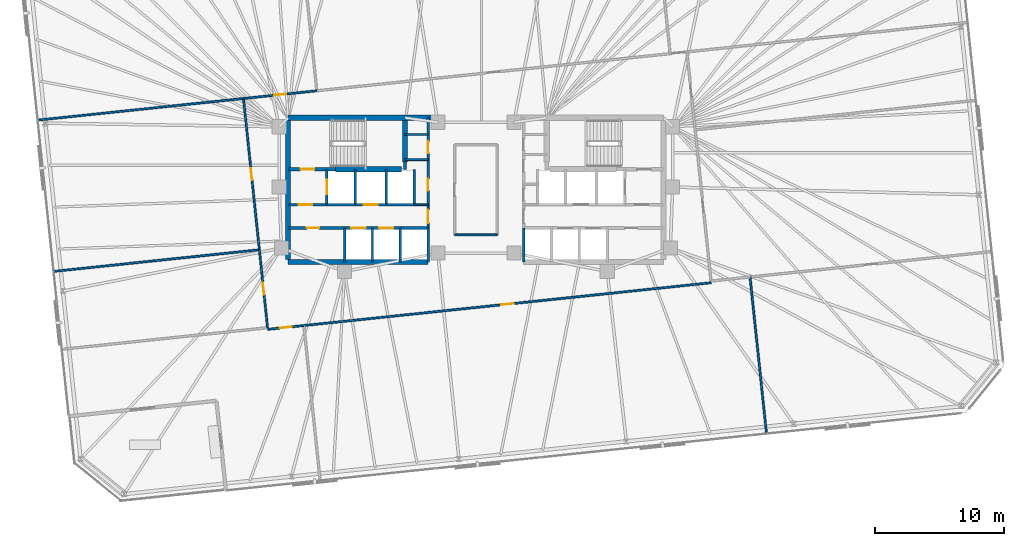
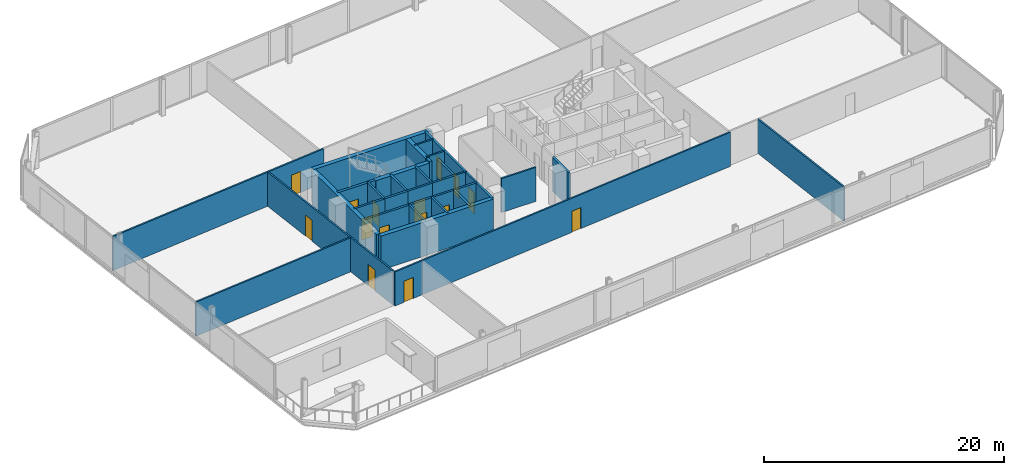
# One storey, part 14 of 18: 35 walls, 15 doors, 15 openings.
"""IFC4 building model written with IfcOpenShell, lengths in metres."""

from ifc_helpers import new_model, si_unit, direction, frame, frame_2d, origin, place, context, subcontext, project, spatial, rectangle, extrude, material, layer, layer_set, type_object, element, fill, save


model = new_model("IFC4")

# Units and contexts
model_context = context("Model", 3, precision=1e-05, world=origin(), true_north=direction((0.0, 1.0)))
body_context = subcontext(model_context, "Body", "Model", "MODEL_VIEW")
ifc_project = project(units=[si_unit("LENGTHUNIT", "METRE"), si_unit("AREAUNIT", "SQUARE_METRE"), si_unit("VOLUMEUNIT", "CUBIC_METRE"), si_unit("PLANEANGLEUNIT", "RADIAN"), si_unit("MASSUNIT", "GRAM", prefix="KILO")], contexts=[model_context])

# Site, building, storey
site_placement = place(None, origin())
site = spatial("IfcSite", under=ifc_project, at=site_placement, CompositionType="ELEMENT")
building_placement = place(site_placement, origin())
building = spatial("IfcBuilding", under=site, at=building_placement, Name="Menara Jurai Vektor", CompositionType="ELEMENT")
storey_placement = place(building_placement, frame((0.0, 0.0, 113.300048828125)))
storey = spatial("IfcBuildingStorey", under=building, at=storey_placement, Name="L28", CompositionType="ELEMENT", Elevation=113.300048828125)

# Wall, opening, door
ifc_material_1 = material(Name="Concrete C40/50", Category="concrete")
ifc_layer_1 = layer(ifc_material_1, 0.25)
ifc_layer_set_1 = layer_set([ifc_layer_1], Name="Concrete C40/50")
wall_type_1 = type_object("IfcWallType", Name="INT-WALL-CORE-250", PredefinedType="STANDARD", material=ifc_layer_set_1)
wall_1_placement = place(storey_placement, frame((-14.5, 1.60009765625, 0.0), z_axis=(0.0, 0.0, 1.0), x_axis=(1.0, 0.0, 0.0)))
wall_1 = element("IfcWall", 1, at=wall_1_placement, inside=storey, type_object=wall_type_1, Name="Interior Wall IW-250 L28", PredefinedType="STANDARD", context=body_context, shape_type="SweptSolid", body=[
    extrude(rectangle(XDim=3.60009765625, YDim=0.25, at=frame_2d((1.800048828125, 0.0))), origin(), (0.0, 0.0, 1.0), 3.474853515625),
])
opening_1_placement = place(wall_1_placement, frame((0.919921875, 0.0, 0.0)))
opening_1 = element("IfcOpeningElement", 2, at=opening_1_placement, cuts=wall_1, Name="Opening D-L28-ST1", PredefinedType="OPENING", context=body_context, shape_type="SweptSolid", body=[
    extrude(rectangle(XDim=1.050048828125, YDim=2.14990234375, at=frame_2d((0.52490234375, 1.074951171875))), frame((0.0, 0.135009765625, 0.0), z_axis=(0.0, -1.0, 0.0), x_axis=(1.0, 0.0, 0.0)), (0.0, 0.0, 1.0), 0.27001953125),
])
ifc_material_2 = material(Name="Fire-Rated Steel Door", Category="steel")
door_type_1 = type_object("IfcDoorType", Name="DR-STAIR-1050", OperationType="NOTDEFINED", PredefinedType="DOOR", material=ifc_material_2)
door_1_placement = place(opening_1_placement, origin())
door_1 = element("IfcDoor", 3, at=door_1_placement, inside=storey, type_object=door_type_1, Name="Exit Stair ST1 Door L28", OperationType="SINGLE_SWING_RIGHT", OverallHeight=2.14990234375, OverallWidth=1.050048828125, PredefinedType="DOOR", context=body_context, shape_type="SweptSolid", body=[
    extrude(rectangle(XDim=1.050048828125, YDim=2.14990234375, at=frame_2d((0.52490234375, 1.074951171875))), frame((0.0, 0.02490234375, 0.0), z_axis=(0.0, -1.0, 0.0), x_axis=(1.0, 0.0, 0.0)), (0.0, 0.0, 1.0), 0.050048828125),
])
fill(opening_1, door_1)

# Wall
wall_2_placement = place(storey_placement, frame((-5.5, 1.60009765625, 0.0), z_axis=(0.0, 0.0, 1.0), x_axis=(0.0, 1.0, 0.0)))
element("IfcWall", 4, at=wall_2_placement, inside=storey, type_object=wall_type_1, Name="Interior Wall IW-250 L28", PredefinedType="STANDARD", context=body_context, shape_type="SweptSolid", body=[
    extrude(rectangle(XDim=0.5498046875, YDim=0.25, at=frame_2d((0.27490234375, 0.0))), origin(), (0.0, 0.0, 1.0), 3.474853515625),
])

# Wall, opening, door
wall_3_placement = place(storey_placement, frame((-11.550048828125, -1.14990234375, 0.0), z_axis=(0.0, 0.0, 1.0), x_axis=(0.0, 1.0, 0.0)))
wall_3 = element("IfcWall", 5, at=wall_3_placement, inside=storey, type_object=wall_type_1, Name="Interior Wall IW-250 L28", PredefinedType="STANDARD", context=body_context, shape_type="SweptSolid", body=[
    extrude(rectangle(XDim=2.75, YDim=0.199951171875, at=frame_2d((1.375, 0.0))), origin(), (0.0, 0.0, 1.0), 3.474853515625),
])
opening_2_placement = place(wall_3_placement, frame((0.824951171875, 0.0, 0.0)))
opening_2 = element("IfcOpeningElement", 6, at=opening_2_placement, cuts=wall_3, Name="Opening LD-L28-FL1", PredefinedType="OPENING", context=body_context, shape_type="SweptSolid", body=[
    extrude(rectangle(XDim=1.10009765625, YDim=2.14990234375, at=frame_2d((0.550048828125, 1.074951171875))), frame((0.0, 0.10986328125, 0.0), z_axis=(0.0, -1.0, 0.0), x_axis=(1.0, 0.0, 0.0)), (0.0, 0.0, 1.0), 0.219970703125),
])
ifc_material_3 = material(Name="Stainless Steel Sliding Lift Landing Door", Category="steel")
door_type_2 = type_object("IfcDoorType", Name="DR-LIFT-FIRE-1100", OperationType="NOTDEFINED", PredefinedType="DOOR", material=ifc_material_3)
door_2_placement = place(opening_2_placement, origin())
door_2 = element("IfcDoor", 7, at=door_2_placement, inside=storey, type_object=door_type_2, Name="Lift Landing Door FL1 L28", OperationType="SLIDING_TO_RIGHT", OverallHeight=2.14990234375, OverallWidth=1.10009765625, PredefinedType="DOOR", context=body_context, shape_type="SweptSolid", body=[
    extrude(rectangle(XDim=1.10009765625, YDim=2.14990234375, at=frame_2d((0.550048828125, 1.074951171875))), frame((0.0, 0.02490234375, 0.0), z_axis=(0.0, -1.0, 0.0), x_axis=(1.0, 0.0, 0.0)), (0.0, 0.0, 1.0), 0.050048828125),
])
fill(opening_2, door_2)

# Wall
wall_4_placement = place(storey_placement, frame((-9.35009765625, -1.14990234375, 0.0), z_axis=(0.0, 0.0, 1.0), x_axis=(0.0, 1.0, 0.0)))
element("IfcWall", 8, at=wall_4_placement, inside=storey, type_object=wall_type_1, Name="Interior Wall IW-250 L28", PredefinedType="STANDARD", context=body_context, shape_type="SweptSolid", body=[
    extrude(rectangle(XDim=2.75, YDim=0.199951171875, at=frame_2d((1.375, 0.0))), origin(), (0.0, 0.0, 1.0), 3.474853515625),
])

# Wall, opening, door
wall_5_placement = place(storey_placement, frame((-14.5, -1.14990234375, 0.0), z_axis=(0.0, 0.0, 1.0), x_axis=(1.0, 0.0, 0.0)))
wall_5 = element("IfcWall", 9, at=wall_5_placement, inside=storey, type_object=wall_type_1, Name="Interior Wall IW-250 L28", PredefinedType="STANDARD", context=body_context, shape_type="SweptSolid", body=[
    extrude(rectangle(XDim=2.949951171875, YDim=0.199951171875, at=frame_2d((1.47509765625, 0.0))), origin(), (0.0, 0.0, 1.0), 3.474853515625),
])
opening_3_placement = place(wall_5_placement, frame((0.75, 0.0, 0.0)))
opening_3 = element("IfcOpeningElement", 10, at=opening_3_placement, cuts=wall_5, Name="Opening D-L28-FFW", PredefinedType="OPENING", context=body_context, shape_type="SweptSolid", body=[
    extrude(rectangle(XDim=1.050048828125, YDim=2.179931640625, at=frame_2d((0.52490234375, 1.08984375))), frame((0.0, 0.10986328125, 0.0), z_axis=(0.0, -1.0, 0.0), x_axis=(1.0, 0.0, 0.0)), (0.0, 0.0, 1.0), 0.219970703125),
])
ifc_material_4 = material(Name="Fire-Rated Timber Door", Category="wood")
door_type_3 = type_object("IfcDoorType", Name="DR-LOBBY-1050", OperationType="NOTDEFINED", PredefinedType="DOOR", material=ifc_material_4)
door_3_placement = place(opening_3_placement, origin())
door_3 = element("IfcDoor", 11, at=door_3_placement, inside=storey, type_object=door_type_3, Name="Fire Lift Lobby Door W L28", OperationType="SINGLE_SWING_RIGHT", OverallHeight=2.179931640625, OverallWidth=1.050048828125, PredefinedType="DOOR", context=body_context, shape_type="SweptSolid", body=[
    extrude(rectangle(XDim=1.050048828125, YDim=2.179931640625, at=frame_2d((0.52490234375, 1.08984375))), frame((0.0, 0.02490234375, 0.0), z_axis=(0.0, -1.0, 0.0), x_axis=(1.0, 0.0, 0.0)), (0.0, 0.0, 1.0), 0.050048828125),
])
fill(opening_3, door_3)

# Wall
wall_6_placement = place(storey_placement, frame((-11.550048828125, -1.14990234375, 0.0), z_axis=(0.0, 0.0, 1.0), x_axis=(1.0, 0.0, 0.0)))
element("IfcWall", 12, at=wall_6_placement, inside=storey, type_object=wall_type_1, Name="Interior Wall IW-250 L28", PredefinedType="STANDARD", context=body_context, shape_type="SweptSolid", body=[
    extrude(rectangle(XDim=2.199951171875, YDim=0.199951171875, at=frame_2d((1.10009765625, 0.0))), origin(), (0.0, 0.0, 1.0), 3.474853515625),
])

# Wall, opening, door
ifc_material_5 = material(Name="Gypsum Fireboard Partition", Category="gypsum")
ifc_layer_2 = layer(ifc_material_5, 0.14990234375)
ifc_layer_set_2 = layer_set([ifc_layer_2], Name="Gypsum Fireboard Partition")
wall_type_2 = type_object("IfcWallType", Name="INT-WALL-CORR-150", PredefinedType="PARTITIONING", material=ifc_layer_set_2)
wall_7_placement = place(storey_placement, frame((-3.699951171875, -2.949951171875, 0.0), z_axis=(0.0, 0.0, 1.0), x_axis=(0.0, 1.0, 0.0)))
wall_7 = element("IfcWall", 13, at=wall_7_placement, inside=storey, type_object=wall_type_2, Name="Interior Wall IW-150 L28", PredefinedType="PARTITIONING", context=body_context, shape_type="SweptSolid", body=[
    extrude(rectangle(XDim=1.800048828125, YDim=0.14990234375, at=frame_2d((0.89990234375, 0.0))), origin(), (0.0, 0.0, 1.0), 3.474853515625),
])
opening_4_placement = place(wall_7_placement, frame((0.35009765625, 0.0, 0.0)))
opening_4 = element("IfcOpeningElement", 14, at=opening_4_placement, cuts=wall_7, Name="Opening D-L28-LLW", PredefinedType="OPENING", context=body_context, shape_type="SweptSolid", body=[
    extrude(rectangle(XDim=1.050048828125, YDim=2.179931640625, at=frame_2d((0.52490234375, 1.08984375))), frame((0.0, 0.0849609375, 0.0), z_axis=(0.0, -1.0, 0.0), x_axis=(1.0, 0.0, 0.0)), (0.0, 0.0, 1.0), 0.169921875),
])
door_4_placement = place(opening_4_placement, origin())
door_4 = element("IfcDoor", 15, at=door_4_placement, inside=storey, type_object=door_type_3, Name="Lift Lobby Corridor Door W L28", OperationType="SINGLE_SWING_LEFT", OverallHeight=2.179931640625, OverallWidth=1.050048828125, PredefinedType="DOOR", context=body_context, shape_type="SweptSolid", body=[
    extrude(rectangle(XDim=1.050048828125, YDim=2.179931640625, at=frame_2d((0.52490234375, 1.08984375))), frame((0.0, 0.02490234375, 0.0), z_axis=(0.0, -1.0, 0.0), x_axis=(1.0, 0.0, 0.0)), (0.0, 0.0, 1.0), 0.050048828125),
])
fill(opening_4, door_4)

# Walls
wall_8_placement = place(storey_placement, frame((-4.7900390625, -1.14990234375, 0.0), z_axis=(0.0, 0.0, 1.0), x_axis=(1.0, 0.0, 0.0)))
element("IfcWall", 16, at=wall_8_placement, inside=storey, type_object=wall_type_2, Name="Interior Wall IW-150 L28", PredefinedType="PARTITIONING", context=body_context, shape_type="SweptSolid", body=[
    extrude(rectangle(XDim=1.090087890625, YDim=0.14990234375, at=frame_2d((0.544921875, 0.0))), origin(), (0.0, 0.0, 1.0), 3.474853515625),
])
for number, where, z_axis, x_axis, name in (
    (17, (-5.5, 4.300048828125, 0.0), (0.0, 0.0, 1.0), (1.0, 0.0, 0.0), "Interior Wall IW-150 L28"),
    (18, (-5.5, 2.35009765625, 0.0), (0.0, 0.0, 1.0), (1.0, 0.0, 0.0), "Interior Wall IW-150 L28"),
):
    element("IfcWall", number, at=place(storey_placement, frame(where, z_axis=z_axis, x_axis=x_axis)), inside=storey, type_object=wall_type_2, Name=name, PredefinedType="PARTITIONING", context=body_context, shape_type="SweptSolid", body=[
        extrude(rectangle(XDim=1.800048828125, YDim=0.14990234375, at=frame_2d((0.89990234375, 0.0))), origin(), (0.0, 0.0, 1.0), 3.474853515625),
    ])
wall_9_placement = place(storey_placement, frame((-1.649658203125, -3.490478515625, 0.0), z_axis=(0.0, 0.0, 1.0), x_axis=(1.0, 0.0, 0.0)))
element("IfcWall", 19, at=wall_9_placement, inside=storey, type_object=wall_type_2, Name="Interior Wall IW-150 L28", PredefinedType="PARTITIONING", context=body_context, shape_type="SweptSolid", body=[
    extrude(rectangle(XDim=3.300048828125, YDim=0.14990234375, at=frame_2d((1.64990234375, 0.0))), origin(), (0.0, 0.0, 1.0), 3.474853515625),
])

# Wall, opening, door
wall_10_placement = place(storey_placement, frame((-18.021240234375, 7.09033203125, 0.0), z_axis=(0.0, 0.0, 1.0), x_axis=(0.994520418841, 0.104542510534, 0.0)))
wall_10 = element("IfcWall", 20, at=wall_10_placement, inside=storey, type_object=wall_type_2, Name="Interior Wall IW-150 L28", PredefinedType="PARTITIONING", context=body_context, shape_type="SweptSolid", body=[
    extrude(rectangle(XDim=5.716796875, YDim=0.14990234375, at=frame_2d((2.8583984375, 0.0))), origin(), (0.0, 0.0, 1.0), 3.474853515625),
])
opening_5_placement = place(wall_10_placement, frame((2.383544921875, 0.0, 0.0)))
opening_5 = element("IfcOpeningElement", 21, at=opening_5_placement, cuts=wall_10, Name="Opening D28-09", PredefinedType="OPENING", context=body_context, shape_type="SweptSolid", body=[
    extrude(rectangle(XDim=0.949951171875, YDim=2.14990234375, at=frame_2d((0.47509765625, 1.074951171875))), frame((0.0, 0.0849609375, 0.0), z_axis=(0.0, -1.0, 0.0), x_axis=(1.0, 0.0, 0.0)), (0.0, 0.0, 1.0), 0.169921875),
])
ifc_material_6 = material(Name="Solid Core Timber Fire Door", Category="wood")
door_type_4 = type_object("IfcDoorType", Name="DR-ENTRY-950", OperationType="NOTDEFINED", PredefinedType="DOOR", material=ifc_material_6)
door_5_placement = place(opening_5_placement, origin())
door_5 = element("IfcDoor", 22, at=door_5_placement, inside=storey, type_object=door_type_4, Name="Interior Door D28-09", OperationType="SINGLE_SWING_RIGHT", OverallHeight=2.14990234375, OverallWidth=0.949951171875, PredefinedType="DOOR", context=body_context, shape_type="SweptSolid", body=[
    extrude(rectangle(XDim=0.949951171875, YDim=2.14990234375, at=frame_2d((0.47509765625, 1.074951171875))), frame((0.0, 0.02490234375, 0.0), z_axis=(0.0, -1.0, 0.0), x_axis=(1.0, 0.0, 0.0)), (0.0, 0.0, 1.0), 0.050048828125),
])
fill(opening_5, door_5)

wall_11_placement = place(storey_placement, frame((-16.139892578125, -10.80908203125, 0.0), z_axis=(0.0, 0.0, 1.0), x_axis=(0.994522535937, 0.104522368483, 0.0)))
wall_11 = element("IfcWall", 23, at=wall_11_placement, inside=storey, type_object=wall_type_2, Name="Interior Wall IW-150 L28", PredefinedType="PARTITIONING", context=body_context, shape_type="SweptSolid", body=[
    extrude(rectangle(XDim=2.81689453125, YDim=0.14990234375, at=frame_2d((1.408447265625, 0.0))), origin(), (0.0, 0.0, 1.0), 3.474853515625),
])
opening_6_placement = place(wall_11_placement, frame((0.93359375, 0.0, 0.0)))
opening_6 = element("IfcOpeningElement", 24, at=opening_6_placement, cuts=wall_11, Name="Opening D28-12", PredefinedType="OPENING", context=body_context, shape_type="SweptSolid", body=[
    extrude(rectangle(XDim=0.949951171875, YDim=2.14990234375, at=frame_2d((0.47509765625, 1.074951171875))), frame((0.0, 0.0849609375, 0.0), z_axis=(0.0, -1.0, 0.0), x_axis=(1.0, 0.0, 0.0)), (0.0, 0.0, 1.0), 0.169921875),
])
door_6_placement = place(opening_6_placement, origin())
door_6 = element("IfcDoor", 25, at=door_6_placement, inside=storey, type_object=door_type_4, Name="Interior Door D28-12", OperationType="SINGLE_SWING_LEFT", OverallHeight=2.14990234375, OverallWidth=0.949951171875, PredefinedType="DOOR", context=body_context, shape_type="SweptSolid", body=[
    extrude(rectangle(XDim=0.949951171875, YDim=2.14990234375, at=frame_2d((0.47509765625, 1.074951171875))), frame((0.0, 0.02490234375, 0.0), z_axis=(0.0, -1.0, 0.0), x_axis=(1.0, 0.0, 0.0)), (0.0, 0.0, 1.0), 0.050048828125),
])
fill(opening_6, door_6)

wall_12_placement = place(storey_placement, frame((-13.33837890625, -10.5146484375, 0.0), z_axis=(0.0, 0.0, 1.0), x_axis=(0.994522458216, 0.104523107989, 0.0)))
wall_12 = element("IfcWall", 26, at=wall_12_placement, inside=storey, type_object=wall_type_2, Name="Interior Wall IW-150 L28", PredefinedType="PARTITIONING", context=body_context, shape_type="SweptSolid", body=[
    extrude(rectangle(XDim=31.7568359375, YDim=0.14990234375, at=frame_2d((15.87841796875, 0.0))), origin(), (0.0, 0.0, 1.0), 3.474853515625),
])
opening_7_placement = place(wall_12_placement, frame((15.403564453125, 0.0, 0.0)))
opening_7 = element("IfcOpeningElement", 27, at=opening_7_placement, cuts=wall_12, Name="Opening D28-13", PredefinedType="OPENING", context=body_context, shape_type="SweptSolid", body=[
    extrude(rectangle(XDim=0.949951171875, YDim=2.14990234375, at=frame_2d((0.47509765625, 1.074951171875))), frame((0.0, 0.0849609375, 0.0), z_axis=(0.0, -1.0, 0.0), x_axis=(1.0, 0.0, 0.0)), (0.0, 0.0, 1.0), 0.169921875),
])
door_7_placement = place(opening_7_placement, origin())
door_7 = element("IfcDoor", 28, at=door_7_placement, inside=storey, type_object=door_type_4, Name="Interior Door D28-13", OperationType="SINGLE_SWING_RIGHT", OverallHeight=2.14990234375, OverallWidth=0.949951171875, PredefinedType="DOOR", context=body_context, shape_type="SweptSolid", body=[
    extrude(rectangle(XDim=0.949951171875, YDim=2.14990234375, at=frame_2d((0.47509765625, 1.074951171875))), frame((0.0, 0.02490234375, 0.0), z_axis=(0.0, -1.0, 0.0), x_axis=(1.0, 0.0, 0.0)), (0.0, 0.0, 1.0), 0.050048828125),
])
fill(opening_7, door_7)

wall_13_placement = place(storey_placement, frame((-16.1533203125, -10.681884765625, 0.0), z_axis=(0.0, 0.0, 1.0), x_axis=(-0.104550920346, 0.994519534778, 0.0)))
wall_13 = element("IfcWall", 29, at=wall_13_placement, inside=storey, type_object=wall_type_2, Name="Interior Wall IW-150 L28", PredefinedType="PARTITIONING", context=body_context, shape_type="SweptSolid", body=[
    extrude(rectangle(XDim=6.075927734375, YDim=0.14990234375, at=frame_2d((3.0380859375, 0.0))), origin(), (0.0, 0.0, 1.0), 3.474853515625),
])
opening_8_placement = place(wall_13_placement, frame((2.56298828125, 0.0, 0.0)))
opening_8 = element("IfcOpeningElement", 30, at=opening_8_placement, cuts=wall_13, Name="Opening D28-14", PredefinedType="OPENING", context=body_context, shape_type="SweptSolid", body=[
    extrude(rectangle(XDim=0.949951171875, YDim=2.14990234375, at=frame_2d((0.47509765625, 1.074951171875))), frame((0.0, 0.0849609375, 0.0), z_axis=(0.0, -1.0, 0.0), x_axis=(1.0, 0.0, 0.0)), (0.0, 0.0, 1.0), 0.169921875),
])
door_8_placement = place(opening_8_placement, origin())
door_8 = element("IfcDoor", 31, at=door_8_placement, inside=storey, type_object=door_type_4, Name="Interior Door D28-14", OperationType="SINGLE_SWING_LEFT", OverallHeight=2.14990234375, OverallWidth=0.949951171875, PredefinedType="DOOR", context=body_context, shape_type="SweptSolid", body=[
    extrude(rectangle(XDim=0.949951171875, YDim=2.14990234375, at=frame_2d((0.47509765625, 1.074951171875))), frame((0.0, 0.02490234375, 0.0), z_axis=(0.0, -1.0, 0.0), x_axis=(1.0, 0.0, 0.0)), (0.0, 0.0, 1.0), 0.050048828125),
])
fill(opening_8, door_8)

wall_14_placement = place(storey_placement, frame((-16.78857421875, -4.63916015625, 0.0), z_axis=(0.0, 0.0, 1.0), x_axis=(-0.104515608009, 0.994523246426, 0.0)))
wall_14 = element("IfcWall", 32, at=wall_14_placement, inside=storey, type_object=wall_type_2, Name="Interior Wall IW-150 L28", PredefinedType="PARTITIONING", context=body_context, shape_type="SweptSolid", body=[
    extrude(rectangle(XDim=11.794189453125, YDim=0.14990234375, at=frame_2d((5.89697265625, 0.0))), origin(), (0.0, 0.0, 1.0), 3.474853515625),
])
opening_9_placement = place(wall_14_placement, frame((5.422119140625, 0.0, 0.0)))
opening_9 = element("IfcOpeningElement", 33, at=opening_9_placement, cuts=wall_14, Name="Opening D28-15", PredefinedType="OPENING", context=body_context, shape_type="SweptSolid", body=[
    extrude(rectangle(XDim=0.949951171875, YDim=2.14990234375, at=frame_2d((0.47509765625, 1.074951171875))), frame((0.0, 0.0849609375, 0.0), z_axis=(0.0, -1.0, 0.0), x_axis=(1.0, 0.0, 0.0)), (0.0, 0.0, 1.0), 0.169921875),
])
door_9_placement = place(opening_9_placement, origin())
door_9 = element("IfcDoor", 34, at=door_9_placement, inside=storey, type_object=door_type_4, Name="Interior Door D28-15", OperationType="SINGLE_SWING_RIGHT", OverallHeight=2.14990234375, OverallWidth=0.949951171875, PredefinedType="DOOR", context=body_context, shape_type="SweptSolid", body=[
    extrude(rectangle(XDim=0.949951171875, YDim=2.14990234375, at=frame_2d((0.47509765625, 1.074951171875))), frame((0.0, 0.02490234375, 0.0), z_axis=(0.0, -1.0, 0.0), x_axis=(1.0, 0.0, 0.0)), (0.0, 0.0, 1.0), 0.050048828125),
])
fill(opening_9, door_9)

# Walls
wall_15_placement = place(storey_placement, frame((-33.966552734375, 5.414306640625, 0.0), z_axis=(0.0, 0.0, 1.0), x_axis=(0.994521211213, 0.104534972363, 0.0)))
element("IfcWall", 35, at=wall_15_placement, inside=storey, type_object=wall_type_2, Name="Interior Wall IW-150 L28", PredefinedType="PARTITIONING", context=body_context, shape_type="SweptSolid", body=[
    extrude(rectangle(XDim=16.033203125, YDim=0.14990234375, at=frame_2d((8.0166015625, 0.0))), origin(), (0.0, 0.0, 1.0), 3.474853515625),
])
wall_16_placement = place(storey_placement, frame((22.534912109375, -18.90380859375, 0.0), z_axis=(0.0, 0.0, 1.0), x_axis=(-0.104520477826, 0.99452273464, 0.0)))
element("IfcWall", 36, at=wall_16_placement, inside=storey, type_object=wall_type_2, Name="Interior Wall IW-150 L28", PredefinedType="PARTITIONING", context=body_context, shape_type="SweptSolid", body=[
    extrude(rectangle(XDim=12.220947265625, YDim=0.14990234375, at=frame_2d((6.1103515625, 0.0))), origin(), (0.0, 0.0, 1.0), 3.474853515625),
])
wall_17_placement = place(storey_placement, frame((-32.733642578125, -6.31494140625, 0.0), z_axis=(0.0, 0.0, 1.0), x_axis=(0.994522627807, 0.104521494347, 0.0)))
element("IfcWall", 37, at=wall_17_placement, inside=storey, type_object=wall_type_2, Name="Interior Wall IW-150 L28", PredefinedType="PARTITIONING", context=body_context, shape_type="SweptSolid", body=[
    extrude(rectangle(XDim=16.032958984375, YDim=0.14990234375, at=frame_2d((8.0166015625, 0.0))), origin(), (0.0, 0.0, 1.0), 3.474853515625),
])

# Wall, openings, doors
ifc_layer_3 = layer(ifc_material_1, 0.199951171875)
ifc_layer_set_3 = layer_set([ifc_layer_3], Name="Concrete C40/50")
wall_type_3 = type_object("IfcWallType", Name="INT-WALL-SHAFT-200", PredefinedType="STANDARD", material=ifc_layer_set_3)
wall_18_placement = place(storey_placement, frame((-3.699951171875, -1.14990234375, 0.0), z_axis=(0.0, 0.0, 1.0), x_axis=(0.0, 1.0, 0.0)))
wall_18 = element("IfcWall", 38, at=wall_18_placement, inside=storey, type_object=wall_type_3, Name="Interior Wall IW-200 L28", PredefinedType="STANDARD", context=body_context, shape_type="SweptSolid", body=[
    extrude(rectangle(XDim=6.75, YDim=0.199951171875, at=frame_2d((3.375, 0.0))), origin(), (0.0, 0.0, 1.0), 3.474853515625),
])
opening_10_placement = place(wall_18_placement, frame((1.10009765625, 0.0, 0.0)))
opening_10 = element("IfcOpeningElement", 39, at=opening_10_placement, cuts=wall_18, Name="Opening D28-02", PredefinedType="OPENING", context=body_context, shape_type="SweptSolid", body=[
    extrude(rectangle(XDim=0.89990234375, YDim=2.14990234375, at=frame_2d((0.449951171875, 1.074951171875))), frame((0.0, 0.10986328125, 0.0), z_axis=(0.0, -1.0, 0.0), x_axis=(1.0, 0.0, 0.0)), (0.0, 0.0, 1.0), 0.219970703125),
])
opening_11_placement = place(wall_18_placement, frame((4.0, 0.0, 0.0)))
opening_11 = element("IfcOpeningElement", 40, at=opening_11_placement, cuts=wall_18, Name="Opening D28-03", PredefinedType="OPENING", context=body_context, shape_type="SweptSolid", body=[
    extrude(rectangle(XDim=0.919921875, YDim=2.14990234375, at=frame_2d((0.4599609375, 1.074951171875))), frame((0.0, 0.10986328125, 0.0), z_axis=(0.0, -1.0, 0.0), x_axis=(1.0, 0.0, 0.0)), (0.0, 0.0, 1.0), 0.219970703125),
])
door_10_placement = place(opening_10_placement, origin())
door_10 = element("IfcDoor", 41, at=door_10_placement, inside=storey, type_object=door_type_4, Name="Interior Door D28-02", OperationType="SINGLE_SWING_LEFT", OverallHeight=2.14990234375, OverallWidth=0.89990234375, PredefinedType="DOOR", context=body_context, shape_type="SweptSolid", body=[
    extrude(rectangle(XDim=0.89990234375, YDim=2.14990234375, at=frame_2d((0.449951171875, 1.074951171875))), frame((0.0, 0.02490234375, 0.0), z_axis=(0.0, -1.0, 0.0), x_axis=(1.0, 0.0, 0.0)), (0.0, 0.0, 1.0), 0.050048828125),
])
fill(opening_10, door_10)
door_11_placement = place(opening_11_placement, origin())
door_11 = element("IfcDoor", 42, at=door_11_placement, inside=storey, type_object=door_type_4, Name="Interior Door D28-03", OperationType="SINGLE_SWING_LEFT", OverallHeight=2.14990234375, OverallWidth=0.919921875, PredefinedType="DOOR", context=body_context, shape_type="SweptSolid", body=[
    extrude(rectangle(XDim=0.919921875, YDim=2.14990234375, at=frame_2d((0.4599609375, 1.074951171875))), frame((0.0, 0.02490234375, 0.0), z_axis=(0.0, -1.0, 0.0), x_axis=(1.0, 0.0, 0.0)), (0.0, 0.0, 1.0), 0.050048828125),
])
fill(opening_11, door_11)

# Walls
wall_19_placement = place(storey_placement, frame((-3.699951171875, -5.60009765625, 0.0), z_axis=(0.0, 0.0, 1.0), x_axis=(0.0, 1.0, 0.0)))
element("IfcWall", 43, at=wall_19_placement, inside=storey, type_object=wall_type_3, Name="Interior Wall IW-200 L28", PredefinedType="STANDARD", context=body_context, shape_type="SweptSolid", body=[
    extrude(rectangle(XDim=2.650146484375, YDim=0.199951171875, at=frame_2d((1.3251953125, 0.0))), origin(), (0.0, 0.0, 1.0), 3.474853515625),
])
wall_20_placement = place(storey_placement, frame((-6.949951171875, -1.14990234375, 0.0), z_axis=(0.0, 0.0, 1.0), x_axis=(0.0, 1.0, 0.0)))
element("IfcWall", 44, at=wall_20_placement, inside=storey, type_object=wall_type_3, Name="Interior Wall IW-200 L28", PredefinedType="STANDARD", context=body_context, shape_type="SweptSolid", body=[
    extrude(rectangle(XDim=2.75, YDim=0.199951171875, at=frame_2d((1.375, 0.0))), origin(), (0.0, 0.0, 1.0), 3.474853515625),
])

# Wall, opening, door
wall_21_placement = place(storey_placement, frame((-9.35009765625, -1.14990234375, 0.0), z_axis=(0.0, 0.0, 1.0), x_axis=(1.0, 0.0, 0.0)))
wall_21 = element("IfcWall", 45, at=wall_21_placement, inside=storey, type_object=wall_type_3, Name="Interior Wall IW-200 L28", PredefinedType="STANDARD", context=body_context, shape_type="SweptSolid", body=[
    extrude(rectangle(XDim=2.400146484375, YDim=0.199951171875, at=frame_2d((1.2001953125, 0.0))), origin(), (0.0, 0.0, 1.0), 3.474853515625),
])
opening_12_placement = place(wall_21_placement, frame((0.64990234375, 0.0, 0.0)))
opening_12 = element("IfcOpeningElement", 46, at=opening_12_placement, cuts=wall_21, Name="Opening LD-L28-SVL1", PredefinedType="OPENING", context=body_context, shape_type="SweptSolid", body=[
    extrude(rectangle(XDim=1.10009765625, YDim=2.14990234375, at=frame_2d((0.550048828125, 1.074951171875))), frame((0.0, 0.10986328125, 0.0), z_axis=(0.0, -1.0, 0.0), x_axis=(1.0, 0.0, 0.0)), (0.0, 0.0, 1.0), 0.219970703125),
])
ifc_material_7 = material(Name="Anodised Stainless Sliding Lift Landing Door", Category="steel")
door_type_5 = type_object("IfcDoorType", Name="DR-LIFT-PASS-1100", OperationType="NOTDEFINED", PredefinedType="DOOR", material=ifc_material_7)
door_12_placement = place(opening_12_placement, origin())
door_12 = element("IfcDoor", 47, at=door_12_placement, inside=storey, type_object=door_type_5, Name="Lift Landing Door SVL1 L28", OperationType="SLIDING_TO_RIGHT", OverallHeight=2.14990234375, OverallWidth=1.10009765625, PredefinedType="DOOR", context=body_context, shape_type="SweptSolid", body=[
    extrude(rectangle(XDim=1.10009765625, YDim=2.14990234375, at=frame_2d((0.550048828125, 1.074951171875))), frame((0.0, 0.02490234375, 0.0), z_axis=(0.0, -1.0, 0.0), x_axis=(1.0, 0.0, 0.0)), (0.0, 0.0, 1.0), 0.050048828125),
])
fill(opening_12, door_12)

# Walls
wall_22_placement = place(storey_placement, frame((-4.7900390625, -1.14990234375, 0.0), z_axis=(0.0, 0.0, 1.0), x_axis=(0.0, 1.0, 0.0)))
element("IfcWall", 48, at=wall_22_placement, inside=storey, type_object=wall_type_3, Name="Interior Wall IW-200 L28", PredefinedType="STANDARD", context=body_context, shape_type="SweptSolid", body=[
    extrude(rectangle(XDim=2.75, YDim=0.199951171875, at=frame_2d((1.375, 0.0))), origin(), (0.0, 0.0, 1.0), 3.474853515625),
])
wall_23_placement = place(storey_placement, frame((-6.949951171875, -1.14990234375, 0.0), z_axis=(0.0, 0.0, 1.0), x_axis=(1.0, 0.0, 0.0)))
element("IfcWall", 49, at=wall_23_placement, inside=storey, type_object=wall_type_3, Name="Interior Wall IW-200 L28", PredefinedType="STANDARD", context=body_context, shape_type="SweptSolid", body=[
    extrude(rectangle(XDim=2.159912109375, YDim=0.199951171875, at=frame_2d((1.080078125, 0.0))), origin(), (0.0, 0.0, 1.0), 3.474853515625),
])

# Wall, openings, doors
wall_24_placement = place(storey_placement, frame((-14.5, -2.949951171875, 0.0), z_axis=(0.0, 0.0, 1.0), x_axis=(1.0, 0.0, 0.0)))
wall_24 = element("IfcWall", 50, at=wall_24_placement, inside=storey, type_object=wall_type_3, Name="Interior Wall IW-200 L28", PredefinedType="STANDARD", context=body_context, shape_type="SweptSolid", body=[
    extrude(rectangle(XDim=10.800048828125, YDim=0.199951171875, at=frame_2d((5.39990234375, 0.0))), origin(), (0.0, 0.0, 1.0), 3.474853515625),
])
opening_13_placement = place(wall_24_placement, frame((4.85009765625, 0.0, 0.0)))
opening_13 = element("IfcOpeningElement", 51, at=opening_13_placement, cuts=wall_24, Name="Opening LD-L28-PM1", PredefinedType="OPENING", context=body_context, shape_type="SweptSolid", body=[
    extrude(rectangle(XDim=1.10009765625, YDim=2.14990234375, at=frame_2d((0.550048828125, 1.074951171875))), frame((0.0, 0.10986328125, 0.0), z_axis=(0.0, -1.0, 0.0), x_axis=(1.0, 0.0, 0.0)), (0.0, 0.0, 1.0), 0.219970703125),
])
opening_14_placement = place(wall_24_placement, frame((7.010009765625, 0.0, 0.0)))
opening_14 = element("IfcOpeningElement", 52, at=opening_14_placement, cuts=wall_24, Name="Opening LD-L28-PM2", PredefinedType="OPENING", context=body_context, shape_type="SweptSolid", body=[
    extrude(rectangle(XDim=1.10009765625, YDim=2.14990234375, at=frame_2d((0.550048828125, 1.074951171875))), frame((0.0, 0.10986328125, 0.0), z_axis=(0.0, -1.0, 0.0), x_axis=(1.0, 0.0, 0.0)), (0.0, 0.0, 1.0), 0.219970703125),
])
opening_15_placement = place(wall_24_placement, frame((1.39990234375, 0.0, 0.0)))
opening_15 = element("IfcOpeningElement", 53, at=opening_15_placement, cuts=wall_24, Name="Opening D28-01", PredefinedType="OPENING", context=body_context, shape_type="SweptSolid", body=[
    extrude(rectangle(XDim=0.949951171875, YDim=2.14990234375, at=frame_2d((0.47509765625, 1.074951171875))), frame((0.0, 0.10986328125, 0.0), z_axis=(0.0, -1.0, 0.0), x_axis=(1.0, 0.0, 0.0)), (0.0, 0.0, 1.0), 0.219970703125),
])
door_13_placement = place(opening_15_placement, origin())
door_13 = element("IfcDoor", 54, at=door_13_placement, inside=storey, type_object=door_type_4, Name="Interior Door D28-01", OperationType="SINGLE_SWING_LEFT", OverallHeight=2.14990234375, OverallWidth=0.949951171875, PredefinedType="DOOR", context=body_context, shape_type="SweptSolid", body=[
    extrude(rectangle(XDim=0.949951171875, YDim=2.14990234375, at=frame_2d((0.47509765625, 1.074951171875))), frame((0.0, 0.02490234375, 0.0), z_axis=(0.0, -1.0, 0.0), x_axis=(1.0, 0.0, 0.0)), (0.0, 0.0, 1.0), 0.050048828125),
])
fill(opening_15, door_13)
door_14_placement = place(opening_13_placement, origin())
door_14 = element("IfcDoor", 55, at=door_14_placement, inside=storey, type_object=door_type_5, Name="Lift Landing Door PM1 L28", OperationType="SLIDING_TO_LEFT", OverallHeight=2.14990234375, OverallWidth=1.10009765625, PredefinedType="DOOR", context=body_context, shape_type="SweptSolid", body=[
    extrude(rectangle(XDim=1.10009765625, YDim=2.14990234375, at=frame_2d((0.550048828125, 1.074951171875))), frame((0.0, 0.02490234375, 0.0), z_axis=(0.0, -1.0, 0.0), x_axis=(1.0, 0.0, 0.0)), (0.0, 0.0, 1.0), 0.050048828125),
])
fill(opening_13, door_14)
door_15_placement = place(opening_14_placement, origin())
door_15 = element("IfcDoor", 56, at=door_15_placement, inside=storey, type_object=door_type_5, Name="Lift Landing Door PM2 L28", OperationType="SLIDING_TO_LEFT", OverallHeight=2.14990234375, OverallWidth=1.10009765625, PredefinedType="DOOR", context=body_context, shape_type="SweptSolid", body=[
    extrude(rectangle(XDim=1.10009765625, YDim=2.14990234375, at=frame_2d((0.550048828125, 1.074951171875))), frame((0.0, 0.02490234375, 0.0), z_axis=(0.0, -1.0, 0.0), x_axis=(1.0, 0.0, 0.0)), (0.0, 0.0, 1.0), 0.050048828125),
])
fill(opening_14, door_15)

# Walls
wall_25_placement = place(storey_placement, frame((-5.860107421875, -5.60009765625, 0.0), z_axis=(0.0, 0.0, 1.0), x_axis=(0.0, 1.0, 0.0)))
element("IfcWall", 57, at=wall_25_placement, inside=storey, type_object=wall_type_3, Name="Interior Wall IW-200 L28", PredefinedType="STANDARD", context=body_context, shape_type="SweptSolid", body=[
    extrude(rectangle(XDim=2.650146484375, YDim=0.199951171875, at=frame_2d((1.3251953125, 0.0))), origin(), (0.0, 0.0, 1.0), 3.474853515625),
])
for number, where, z_axis, x_axis, name in (
    (58, (-10.179931640625, -5.60009765625, 0.0), (0.0, 0.0, 1.0), (0.0, 1.0, 0.0), "Interior Wall IW-200 L28"),
    (59, (-8.02001953125, -5.60009765625, 0.0), (0.0, 0.0, 1.0), (0.0, 1.0, 0.0), "Interior Wall IW-200 L28"),
):
    element("IfcWall", number, at=place(storey_placement, frame(where, z_axis=z_axis, x_axis=x_axis)), inside=storey, type_object=wall_type_3, Name=name, PredefinedType="STANDARD", context=body_context, shape_type="SweptSolid", body=[
        extrude(rectangle(XDim=2.650146484375, YDim=0.179931640625, at=frame_2d((1.3251953125, 0.0))), origin(), (0.0, 0.0, 1.0), 3.474853515625),
    ])
wall_26_placement = place(storey_placement, frame((3.699951171875, -5.60009765625, 0.0), z_axis=(0.0, 0.0, 1.0), x_axis=(0.0, 1.0, 0.0)))
element("IfcWall", 60, at=wall_26_placement, inside=storey, type_object=wall_type_3, Name="Interior Wall IW-200 L28", PredefinedType="STANDARD", context=body_context, shape_type="SweptSolid", body=[
    extrude(rectangle(XDim=2.650146484375, YDim=0.199951171875, at=frame_2d((1.3251953125, 0.0))), origin(), (0.0, 0.0, 1.0), 3.474853515625),
])
ifc_material_8 = material(Name="Concrete C50/60", Category="concrete")
ifc_layer_4 = layer(ifc_material_8, 0.39990234375)
ifc_layer_set_4 = layer_set([ifc_layer_4], Name="Concrete C50/60")
wall_type_4 = type_object("IfcWallType", Name="STR-WALL-CORE400", PredefinedType="SHEAR", material=ifc_layer_set_4)
wall_27_placement = place(storey_placement, frame((-14.56005859375, 5.60009765625, 0.0), z_axis=(0.0, 0.0, 1.0), x_axis=(1.0, 0.0, 0.0)))
element("IfcWall", 61, at=wall_27_placement, inside=storey, type_object=wall_type_4, Name="Core Shear Wall CW-W-N L28", PredefinedType="SHEAR", context=body_context, shape_type="SweptSolid", body=[
    extrude(rectangle(XDim=11.41015625, YDim=0.39990234375, at=frame_2d((5.705078125, 0.0))), origin(), (0.0, 0.0, 1.0), 3.474853515625),
])
wall_28_placement = place(storey_placement, frame((-14.56005859375, -5.60009765625, 0.0), z_axis=(0.0, 0.0, 1.0), x_axis=(1.0, 0.0, 0.0)))
element("IfcWall", 62, at=wall_28_placement, inside=storey, type_object=wall_type_4, Name="Core Shear Wall CW-W-S L28", PredefinedType="SHEAR", context=body_context, shape_type="SweptSolid", body=[
    extrude(rectangle(XDim=10.860107421875, YDim=0.39990234375, at=frame_2d((5.43017578125, 0.0))), origin(), (0.0, 0.0, 1.0), 3.474853515625),
])
wall_29_placement = place(storey_placement, frame((-14.56005859375, -5.39990234375, 0.0), z_axis=(0.0, 0.0, 1.0), x_axis=(0.0, 1.0, 0.0)))
element("IfcWall", 63, at=wall_29_placement, inside=storey, type_object=wall_type_4, Name="Core Shear Wall CW-W-W L28", PredefinedType="SHEAR", context=body_context, shape_type="SweptSolid", body=[
    extrude(rectangle(XDim=10.7998046875, YDim=0.39990234375, at=frame_2d((5.39990234375, 0.0))), origin(), (0.0, 0.0, 1.0), 3.474853515625),
])
wall_30_placement = place(storey_placement, frame((-5.5, 2.14990234375, 0.0), z_axis=(0.0, 0.0, 1.0), x_axis=(0.0, 1.0, 0.0)))
element("IfcWall", 64, at=wall_30_placement, inside=storey, type_object=wall_type_4, Name="Core Shear Wall CW-W-ST L28", PredefinedType="SHEAR", context=body_context, shape_type="SweptSolid", body=[
    extrude(rectangle(XDim=3.25, YDim=0.39990234375, at=frame_2d((1.625, 0.0))), origin(), (0.0, 0.0, 1.0), 3.474853515625),
])
wall_31_placement = place(storey_placement, frame((-10.89990234375, 1.60009765625, 0.0), z_axis=(0.0, 0.0, 1.0), x_axis=(1.0, 0.0, 0.0)))
element("IfcWall", 65, at=wall_31_placement, inside=storey, type_object=wall_type_4, Name="Core Shear Wall CW-W-STS L28", PredefinedType="SHEAR", context=body_context, shape_type="SweptSolid", body=[
    extrude(rectangle(XDim=5.14990234375, YDim=0.39990234375, at=frame_2d((2.574951171875, 0.0))), origin(), (0.0, 0.0, 1.0), 3.474853515625),
])

save(model, "model.ifc")
